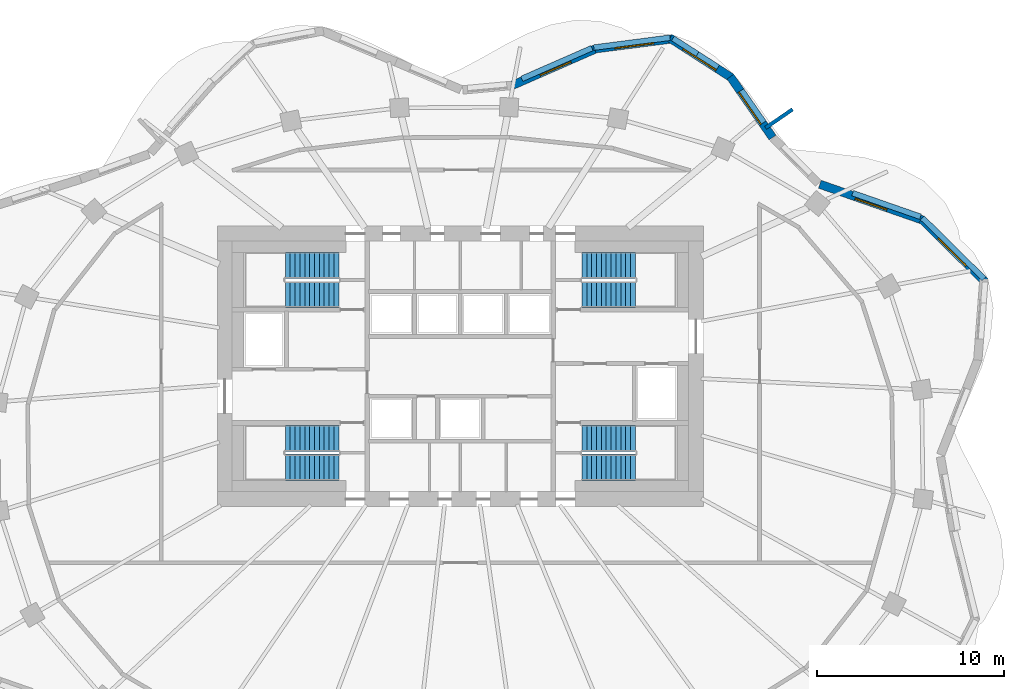
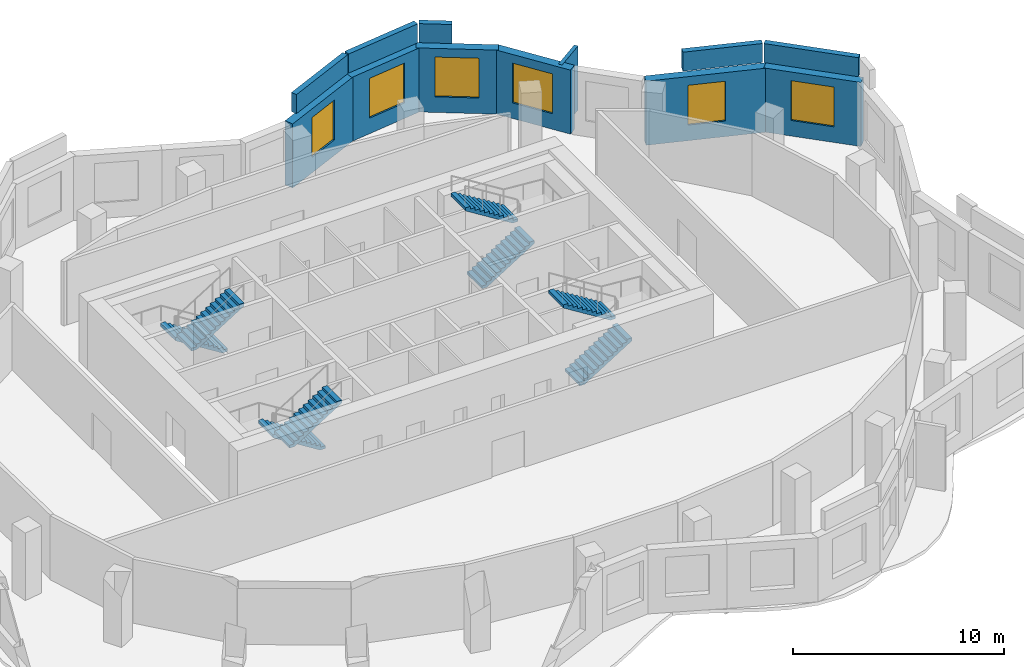
# One storey, part 7 of 8: 12 walls, 8 stair flights, 6 windows, 6 openings, 4 elements without a shape of their own.
"""IFC4 building model written with IfcOpenShell, lengths in metres."""

from ifc_helpers import new_model, si_unit, direction, frame, frame_2d, origin, place, context, subcontext, project, spatial, polyline, rectangle, outline, extrude, material, layer, layer_set, type_object, element, fill, aggregate, save


model = new_model("IFC4")

# Units and contexts
model_context = context("Model", 3, precision=1e-05, world=origin(), true_north=direction((0.0, 1.0)))
body_context = subcontext(model_context, "Body", "Model", "MODEL_VIEW")
ifc_project = project(units=[si_unit("LENGTHUNIT", "METRE"), si_unit("AREAUNIT", "SQUARE_METRE"), si_unit("VOLUMEUNIT", "CUBIC_METRE"), si_unit("PLANEANGLEUNIT", "RADIAN"), si_unit("MASSUNIT", "GRAM", prefix="KILO")], contexts=[model_context])

# Site, building, storey
site_placement = place(None, origin())
site = spatial("IfcSite", under=ifc_project, at=site_placement, CompositionType="ELEMENT")
building_placement = place(site_placement, origin())
building = spatial("IfcBuilding", under=site, at=building_placement, Name="Rubra Terraces Tower", CompositionType="ELEMENT")
storey_placement = place(building_placement, frame((0.0, 0.0, 240.89990234375)))
storey = spatial("IfcBuildingStorey", under=building, at=storey_placement, Name="L59", CompositionType="ELEMENT", Elevation=240.89990234375)

# Wall, opening, window
ifc_material_1 = material(Name="Brick masonry red-brown", Category="masonry")
ifc_layer_1 = layer(ifc_material_1, 0.449951171875)
ifc_layer_set_1 = layer_set([ifc_layer_1], Name="Brick masonry red-brown")
wall_type_1 = type_object("IfcWallType", Name="Brick facade wall 450", PredefinedType="SOLIDWALL", material=ifc_layer_set_1)
wall_1_placement = place(storey_placement, frame((28.06787109375, 9.010986328125, 0.0), z_axis=(0.0, 0.0, 1.0), x_axis=(-0.711293453435, 0.702895172199, 0.0)))
wall_1 = element("IfcWall", 1, at=wall_1_placement, inside=storey, type_object=wall_type_1, Name="Facade wall L59 bay 3", PredefinedType="SOLIDWALL", context=body_context, shape_type="SweptSolid", body=[
    extrude(rectangle(XDim=4.767578125, YDim=0.449951171875, at=frame_2d((2.3837890625, 0.0))), origin(), (0.0, 0.0, 1.0), 3.7001953125),
])
opening_1_placement = place(wall_1_placement, frame((1.333740234375, 0.0, 0.89990234375)))
opening_1 = element("IfcOpeningElement", 2, at=opening_1_placement, cuts=wall_1, Name="Opening W1B", PredefinedType="OPENING", context=body_context, shape_type="SweptSolid", body=[
    extrude(rectangle(XDim=2.10009765625, YDim=2.300048828125, at=frame_2d((1.050048828125, 1.14990234375))), frame((0.0, 0.23486328125, 0.0), z_axis=(0.0, -1.0, 0.0), x_axis=(1.0, 0.0, 0.0)), (0.0, 0.0, 1.0), 0.469970703125),
])
ifc_material_2 = material(Name="Clear glass in aluminium frame", Category="aluminium")
window_type_1 = type_object("IfcWindowType", Name="Fixed deep-set window tall storey 2100 x 2300", PartitioningType="SINGLE_PANEL", PredefinedType="WINDOW", material=ifc_material_2)
window_1_placement = place(opening_1_placement, origin())
window_1 = element("IfcWindow", 3, at=window_1_placement, inside=storey, type_object=window_type_1, Name="Window L59 bay 3", OverallHeight=2.300048828125, OverallWidth=2.10009765625, PartitioningType="SINGLE_PANEL", PredefinedType="WINDOW", context=body_context, shape_type="SweptSolid", body=[
    extrude(rectangle(XDim=2.10009765625, YDim=2.300048828125, at=frame_2d((1.050048828125, 1.14990234375))), frame((0.0, 0.135009765625, 0.0), z_axis=(0.0, -1.0, 0.0), x_axis=(1.0, 0.0, 0.0)), (0.0, 0.0, 1.0), 0.06005859375),
])
fill(opening_1, window_1)

wall_2_placement = place(storey_placement, frame((24.760986328125, 12.309814453125, 0.0), z_axis=(0.0, 0.0, 1.0), x_axis=(-0.944397305248, 0.328806523414, 0.0)))
wall_2 = element("IfcWall", 4, at=wall_2_placement, inside=storey, type_object=wall_type_1, Name="Facade wall L59 bay 4", PredefinedType="SOLIDWALL", context=body_context, shape_type="SweptSolid", body=[
    extrude(rectangle(XDim=5.862060546875, YDim=0.449951171875, at=frame_2d((2.93115234375, 0.0))), origin(), (0.0, 0.0, 1.0), 3.7001953125),
])
opening_2_placement = place(wall_2_placement, frame((2.031005859375, 0.0, 0.89990234375)))
opening_2 = element("IfcOpeningElement", 5, at=opening_2_placement, cuts=wall_2, Name="Opening W6B", PredefinedType="OPENING", context=body_context, shape_type="SweptSolid", body=[
    extrude(rectangle(XDim=1.800048828125, YDim=2.300048828125, at=frame_2d((0.89990234375, 1.14990234375))), frame((0.0, 0.23486328125, 0.0), z_axis=(0.0, -1.0, 0.0), x_axis=(1.0, 0.0, 0.0)), (0.0, 0.0, 1.0), 0.469970703125),
])
window_type_2 = type_object("IfcWindowType", Name="Fixed deep-set window at wind fin tall storey 1800 x 2300", PartitioningType="SINGLE_PANEL", PredefinedType="WINDOW", material=ifc_material_2)
window_2_placement = place(opening_2_placement, origin())
window_2 = element("IfcWindow", 6, at=window_2_placement, inside=storey, type_object=window_type_2, Name="Window L59 bay 4", OverallHeight=2.300048828125, OverallWidth=1.800048828125, PartitioningType="SINGLE_PANEL", PredefinedType="WINDOW", context=body_context, shape_type="SweptSolid", body=[
    extrude(rectangle(XDim=1.800048828125, YDim=2.300048828125, at=frame_2d((0.89990234375, 1.14990234375))), frame((0.0, 0.135009765625, 0.0), z_axis=(0.0, -1.0, 0.0), x_axis=(1.0, 0.0, 0.0)), (0.0, 0.0, 1.0), 0.06005859375),
])
fill(opening_2, window_2)

wall_3_placement = place(storey_placement, frame((16.695068359375, 16.73681640625, 0.0), z_axis=(0.0, 0.0, 1.0), x_axis=(-0.569652445465, 0.821885692402, 0.0)))
wall_3 = element("IfcWall", 7, at=wall_3_placement, inside=storey, type_object=wall_type_1, Name="Facade wall L59 bay 6", PredefinedType="SOLIDWALL", context=body_context, shape_type="SweptSolid", body=[
    extrude(rectangle(XDim=3.958740234375, YDim=0.449951171875, at=frame_2d((1.9794921875, 0.0))), origin(), (0.0, 0.0, 1.0), 3.7001953125),
])
opening_3_placement = place(wall_3_placement, frame((0.929443359375, 0.0, 0.89990234375)))
opening_3 = element("IfcOpeningElement", 8, at=opening_3_placement, cuts=wall_3, Name="Opening W1B", PredefinedType="OPENING", context=body_context, shape_type="SweptSolid", body=[
    extrude(rectangle(XDim=2.10009765625, YDim=2.300048828125, at=frame_2d((1.050048828125, 1.14990234375))), frame((0.0, 0.23486328125, 0.0), z_axis=(0.0, -1.0, 0.0), x_axis=(1.0, 0.0, 0.0)), (0.0, 0.0, 1.0), 0.469970703125),
])
window_3_placement = place(opening_3_placement, origin())
window_3 = element("IfcWindow", 9, at=window_3_placement, inside=storey, type_object=window_type_1, Name="Window L59 bay 6", OverallHeight=2.300048828125, OverallWidth=2.10009765625, PartitioningType="SINGLE_PANEL", PredefinedType="WINDOW", context=body_context, shape_type="SweptSolid", body=[
    extrude(rectangle(XDim=2.10009765625, YDim=2.300048828125, at=frame_2d((1.050048828125, 1.14990234375))), frame((0.0, 0.135009765625, 0.0), z_axis=(0.0, -1.0, 0.0), x_axis=(1.0, 0.0, 0.0)), (0.0, 0.0, 1.0), 0.06005859375),
])
fill(opening_3, window_3)

wall_4_placement = place(storey_placement, frame((14.499267578125, 19.934814453125, 0.0), z_axis=(0.0, 0.0, 1.0), x_axis=(-0.84080910763, 0.541331732422, 0.0)))
wall_4 = element("IfcWall", 10, at=wall_4_placement, inside=storey, type_object=wall_type_1, Name="Facade wall L59 bay 7", PredefinedType="SOLIDWALL", context=body_context, shape_type="SweptSolid", body=[
    extrude(rectangle(XDim=3.91064453125, YDim=0.449951171875, at=frame_2d((1.955322265625, 0.0))), origin(), (0.0, 0.0, 1.0), 3.7001953125),
])
opening_4_placement = place(wall_4_placement, frame((0.9052734375, 0.0, 0.89990234375)))
opening_4 = element("IfcOpeningElement", 11, at=opening_4_placement, cuts=wall_4, Name="Opening W1B", PredefinedType="OPENING", context=body_context, shape_type="SweptSolid", body=[
    extrude(rectangle(XDim=2.10009765625, YDim=2.300048828125, at=frame_2d((1.050048828125, 1.14990234375))), frame((0.0, 0.23486328125, 0.0), z_axis=(0.0, -1.0, 0.0), x_axis=(1.0, 0.0, 0.0)), (0.0, 0.0, 1.0), 0.469970703125),
])
window_4_placement = place(opening_4_placement, origin())
window_4 = element("IfcWindow", 12, at=window_4_placement, inside=storey, type_object=window_type_1, Name="Window L59 bay 7", OverallHeight=2.300048828125, OverallWidth=2.10009765625, PartitioningType="SINGLE_PANEL", PredefinedType="WINDOW", context=body_context, shape_type="SweptSolid", body=[
    extrude(rectangle(XDim=2.10009765625, YDim=2.300048828125, at=frame_2d((1.050048828125, 1.14990234375))), frame((0.0, 0.135009765625, 0.0), z_axis=(0.0, -1.0, 0.0), x_axis=(1.0, 0.0, 0.0)), (0.0, 0.0, 1.0), 0.06005859375),
])
fill(opening_4, window_4)

wall_5_placement = place(storey_placement, frame((11.36181640625, 22.017822265625, 0.0), z_axis=(0.0, 0.0, 1.0), x_axis=(-0.991724958022, -0.128380713645, 0.0)))
wall_5 = element("IfcWall", 13, at=wall_5_placement, inside=storey, type_object=wall_type_1, Name="Facade wall L59 bay 8", PredefinedType="SOLIDWALL", context=body_context, shape_type="SweptSolid", body=[
    extrude(rectangle(XDim=4.181884765625, YDim=0.449951171875, at=frame_2d((2.0908203125, 0.0))), origin(), (0.0, 0.0, 1.0), 3.7001953125),
])
opening_5_placement = place(wall_5_placement, frame((1.041015625, 0.0, 0.89990234375)))
opening_5 = element("IfcOpeningElement", 14, at=opening_5_placement, cuts=wall_5, Name="Opening W1B", PredefinedType="OPENING", context=body_context, shape_type="SweptSolid", body=[
    extrude(rectangle(XDim=2.10009765625, YDim=2.300048828125, at=frame_2d((1.050048828125, 1.14990234375))), frame((0.0, 0.23486328125, 0.0), z_axis=(0.0, -1.0, 0.0), x_axis=(1.0, 0.0, 0.0)), (0.0, 0.0, 1.0), 0.469970703125),
])
window_5_placement = place(opening_5_placement, origin())
window_5 = element("IfcWindow", 15, at=window_5_placement, inside=storey, type_object=window_type_1, Name="Window L59 bay 8", OverallHeight=2.300048828125, OverallWidth=2.10009765625, PartitioningType="SINGLE_PANEL", PredefinedType="WINDOW", context=body_context, shape_type="SweptSolid", body=[
    extrude(rectangle(XDim=2.10009765625, YDim=2.300048828125, at=frame_2d((1.050048828125, 1.14990234375))), frame((0.0, 0.135009765625, 0.0), z_axis=(0.0, -1.0, 0.0), x_axis=(1.0, 0.0, 0.0)), (0.0, 0.0, 1.0), 0.06005859375),
])
fill(opening_5, window_5)

wall_6_placement = place(storey_placement, frame((7.27587890625, 21.498046875, 0.0), z_axis=(0.0, 0.0, 1.0), x_axis=(-0.915872941312, -0.401468249519, 0.0)))
wall_6 = element("IfcWall", 16, at=wall_6_placement, inside=storey, type_object=wall_type_1, Name="Facade wall L59 bay 9", PredefinedType="SOLIDWALL", context=body_context, shape_type="SweptSolid", body=[
    extrude(rectangle(XDim=4.870361328125, YDim=0.449951171875, at=frame_2d((2.43505859375, 0.0))), origin(), (0.0, 0.0, 1.0), 3.7001953125),
])
opening_6_placement = place(wall_6_placement, frame((1.535400390625, 0.0, 0.89990234375)))
opening_6 = element("IfcOpeningElement", 17, at=opening_6_placement, cuts=wall_6, Name="Opening W6B", PredefinedType="OPENING", context=body_context, shape_type="SweptSolid", body=[
    extrude(rectangle(XDim=1.800048828125, YDim=2.300048828125, at=frame_2d((0.89990234375, 1.14990234375))), frame((0.0, 0.23486328125, 0.0), z_axis=(0.0, -1.0, 0.0), x_axis=(1.0, 0.0, 0.0)), (0.0, 0.0, 1.0), 0.469970703125),
])
window_6_placement = place(opening_6_placement, origin())
window_6 = element("IfcWindow", 18, at=window_6_placement, inside=storey, type_object=window_type_2, Name="Window L59 bay 9", OverallHeight=2.300048828125, OverallWidth=1.800048828125, PartitioningType="SINGLE_PANEL", PredefinedType="WINDOW", context=body_context, shape_type="SweptSolid", body=[
    extrude(rectangle(XDim=1.800048828125, YDim=2.300048828125, at=frame_2d((0.89990234375, 1.14990234375))), frame((0.0, 0.135009765625, 0.0), z_axis=(0.0, -1.0, 0.0), x_axis=(1.0, 0.0, 0.0)), (0.0, 0.0, 1.0), 0.06005859375),
])
fill(opening_6, window_6)

# Walls
ifc_layer_2 = layer(ifc_material_1, 0.300048828125)
ifc_layer_set_2 = layer_set([ifc_layer_2], Name="Brick masonry red-brown")
wall_type_2 = type_object("IfcWallType", Name="Brick parapet 300", PredefinedType="PARAPET", material=ifc_layer_set_2)
wall_7_placement = place(storey_placement, frame((28.00048828125, 9.18310546875, 3.900146484375), z_axis=(0.0, 0.0, 1.0), x_axis=(-0.711291435321, 0.702897214419, 0.0)))
element("IfcWall", 19, at=wall_7_placement, inside=storey, type_object=wall_type_2, Name="Parapet L59 bay 3", PredefinedType="PARAPET", context=body_context, shape_type="SweptSolid", body=[
    extrude(rectangle(XDim=4.62451171875, YDim=0.300048828125, at=frame_2d((2.312255859375, 0.0))), origin(), (0.0, 0.0, 1.0), 1.099853515625),
])
wall_8_placement = place(storey_placement, frame((24.605224609375, 12.49951171875, 3.900146484375), z_axis=(0.0, 0.0, 1.0), x_axis=(-0.944373295981, 0.328875474668, 0.0)))
element("IfcWall", 20, at=wall_8_placement, inside=storey, type_object=wall_type_2, Name="Parapet L59 bay 4", PredefinedType="PARAPET", context=body_context, shape_type="SweptSolid", body=[
    extrude(rectangle(XDim=3.84228515625, YDim=0.300048828125, at=frame_2d((1.921142578125, 0.0))), origin(), (0.0, 0.0, 1.0), 1.099853515625),
])
wall_9_placement = place(storey_placement, frame((12.680419921875, 21.195068359375, 3.900146484375), z_axis=(0.0, 0.0, 1.0), x_axis=(-0.840806975541, 0.541335044018, 0.0)))
element("IfcWall", 21, at=wall_9_placement, inside=storey, type_object=wall_type_2, Name="Parapet L59 bay 7", PredefinedType="PARAPET", context=body_context, shape_type="SweptSolid", body=[
    extrude(rectangle(XDim=1.5595703125, YDim=0.300048828125, at=frame_2d((0.77978515625, 0.0))), origin(), (0.0, 0.0, 1.0), 1.099853515625),
])
wall_10_placement = place(storey_placement, frame((11.2138671875, 22.07421875, 3.900146484375), z_axis=(0.0, 0.0, 1.0), x_axis=(-0.991727449614, -0.128361464939, 0.0)))
element("IfcWall", 22, at=wall_10_placement, inside=storey, type_object=wall_type_2, Name="Parapet L59 bay 8", PredefinedType="PARAPET", context=body_context, shape_type="SweptSolid", body=[
    extrude(rectangle(XDim=4.110107421875, YDim=0.300048828125, at=frame_2d((2.05517578125, 0.0))), origin(), (0.0, 0.0, 1.0), 1.099853515625),
])
wall_11_placement = place(storey_placement, frame((7.039306640625, 21.519287109375, 3.900146484375), z_axis=(0.0, 0.0, 1.0), x_axis=(-0.915890739732, -0.401427643384, 0.0)))
element("IfcWall", 23, at=wall_11_placement, inside=storey, type_object=wall_type_2, Name="Parapet L59 bay 9", PredefinedType="PARAPET", context=body_context, shape_type="SweptSolid", body=[
    extrude(rectangle(XDim=4.1015625, YDim=0.300048828125, at=frame_2d((2.05078125, 0.0))), origin(), (0.0, 0.0, 1.0), 1.099853515625),
])
ifc_layer_3 = layer(ifc_material_1, 0.199951171875)
ifc_layer_set_3 = layer_set([ifc_layer_3], Name="Brick masonry red-brown")
wall_type_3 = type_object("IfcWallType", Name="Brick wind fin 200", PredefinedType="SOLIDWALL", material=ifc_layer_set_3)
wall_12_placement = place(storey_placement, frame((16.322021484375, 17.2529296875, 0.0), z_axis=(0.0, 0.0, 1.0), x_axis=(0.824440606412, 0.565948483962, 0.0)))
element("IfcWall", 24, at=wall_12_placement, inside=storey, type_object=wall_type_3, Name="Wind fin L59 4", PredefinedType="SOLIDWALL", context=body_context, shape_type="SweptSolid", body=[
    extrude(rectangle(XDim=1.75, YDim=0.199951171875, at=frame_2d((0.875, 0.0))), origin(), (0.0, 0.0, 1.0), 3.7001953125),
])

# Stair, stair flights
ifc_material_3 = material(Name="Concrete C40", Category="concrete")
stair_type = type_object("IfcStairType", Name="Core stair 1400", PredefinedType="HALF_TURN_STAIR", material=ifc_material_3)
stair_1_placement = place(storey_placement, origin())
stair_1 = element("IfcStair", 25, at=stair_1_placement, inside=storey, type_object=stair_type, Name="L59 Exit stair S1", PredefinedType="HALF_TURN_STAIR")
stair_flight_type = type_object("IfcStairFlightType", Name="Core stair flight 1400", PredefinedType="STRAIGHT", material=ifc_material_3)
stair_flight_1_placement = place(storey_placement, frame((-6.5, 0.64990234375, 0.0), z_axis=(0.0, 0.0, 1.0), x_axis=(-1.0, 0.0, 0.0)))
stair_flight_1 = element("IfcStairFlight", 26, at=stair_flight_1_placement, type_object=stair_flight_type, Name="S1 flight 1", NumberOfRisers=12, NumberOfTreads=11, PredefinedType="STRAIGHT", RiserHeight=0.1625, TreadLength=0.26, context=body_context, shape_type="SweptSolid", body=[
    extrude(outline(polyline([(0.0, 0.0), (0.0, 0.16259765625), (0.260009765625, 0.16259765625), (0.260009765625, 0.324951171875), (0.52001953125, 0.324951171875), (0.52001953125, 0.487548828125), (0.780029296875, 0.487548828125), (0.780029296875, 0.64990234375), (1.0400390625, 0.64990234375), (1.0400390625, 0.8125), (1.300048828125, 0.8125), (1.300048828125, 0.97509765625), (1.56005859375, 0.97509765625), (1.56005859375, 1.137451171875), (1.820068359375, 1.137451171875), (1.820068359375, 1.300048828125), (2.080078125, 1.300048828125), (2.080078125, 1.46240234375), (2.340087890625, 1.46240234375), (2.340087890625, 1.625), (2.60009765625, 1.625), (2.60009765625, 1.78759765625), (2.860107421875, 1.78759765625), (2.860107421875, 1.949951171875), (2.860107421875, 1.61083984375), (0.28271484375, 0.0), (0.0, 0.0)])), frame((0.0, 0.699951171875, 0.0), z_axis=(0.0, -1.0, 0.0), x_axis=(1.0, 0.0, 0.0)), (0.0, 0.0, 1.0), 1.39990234375),
])
stair_flight_2_placement = place(storey_placement, frame((-9.360107421875, -0.89990234375, 1.9501953125), z_axis=(0.0, 0.0, 1.0), x_axis=(1.0, 0.0, 0.0)))
stair_flight_2 = element("IfcStairFlight", 27, at=stair_flight_2_placement, type_object=stair_flight_type, Name="S1 flight 2", NumberOfRisers=12, NumberOfTreads=11, PredefinedType="STRAIGHT", RiserHeight=0.1625, TreadLength=0.26, context=body_context, shape_type="SweptSolid", body=[
    extrude(outline(polyline([(0.0, 0.0), (0.0, 0.16259765625), (0.260009765625, 0.16259765625), (0.260009765625, 0.324951171875), (0.52001953125, 0.324951171875), (0.52001953125, 0.487548828125), (0.780029296875, 0.487548828125), (0.780029296875, 0.64990234375), (1.0400390625, 0.64990234375), (1.0400390625, 0.8125), (1.300048828125, 0.8125), (1.300048828125, 0.97509765625), (1.56005859375, 0.97509765625), (1.56005859375, 1.137451171875), (1.820068359375, 1.137451171875), (1.820068359375, 1.300048828125), (2.080078125, 1.300048828125), (2.080078125, 1.46240234375), (2.340087890625, 1.46240234375), (2.340087890625, 1.625), (2.60009765625, 1.625), (2.60009765625, 1.78759765625), (2.860107421875, 1.78759765625), (2.860107421875, 1.949951171875), (2.860107421875, 1.61083984375), (0.28271484375, 0.0), (0.0, 0.0)])), frame((0.0, 0.699951171875, 0.0), z_axis=(0.0, -1.0, 0.0), x_axis=(1.0, 0.0, 0.0)), (0.0, 0.0, 1.0), 1.39990234375),
])
aggregate(stair_1, [stair_flight_1, stair_flight_2])

stair_2_placement = place(storey_placement, origin())
stair_2 = element("IfcStair", 28, at=stair_2_placement, inside=storey, type_object=stair_type, Name="L59 Exit stair S2", PredefinedType="HALF_TURN_STAIR")
stair_flight_3_placement = place(storey_placement, frame((-6.5, 9.89990234375, 0.0), z_axis=(0.0, 0.0, 1.0), x_axis=(-1.0, 0.0, 0.0)))
stair_flight_3 = element("IfcStairFlight", 29, at=stair_flight_3_placement, type_object=stair_flight_type, Name="S2 flight 1", NumberOfRisers=12, NumberOfTreads=11, PredefinedType="STRAIGHT", RiserHeight=0.1625, TreadLength=0.26, context=body_context, shape_type="SweptSolid", body=[
    extrude(outline(polyline([(0.0, 0.0), (0.0, 0.16259765625), (0.260009765625, 0.16259765625), (0.260009765625, 0.324951171875), (0.52001953125, 0.324951171875), (0.52001953125, 0.487548828125), (0.780029296875, 0.487548828125), (0.780029296875, 0.64990234375), (1.0400390625, 0.64990234375), (1.0400390625, 0.8125), (1.300048828125, 0.8125), (1.300048828125, 0.97509765625), (1.56005859375, 0.97509765625), (1.56005859375, 1.137451171875), (1.820068359375, 1.137451171875), (1.820068359375, 1.300048828125), (2.080078125, 1.300048828125), (2.080078125, 1.46240234375), (2.340087890625, 1.46240234375), (2.340087890625, 1.625), (2.60009765625, 1.625), (2.60009765625, 1.78759765625), (2.860107421875, 1.78759765625), (2.860107421875, 1.949951171875), (2.860107421875, 1.61083984375), (0.28271484375, 0.0), (0.0, 0.0)])), frame((0.0, 0.699951171875, 0.0), z_axis=(0.0, -1.0, 0.0), x_axis=(1.0, 0.0, 0.0)), (0.0, 0.0, 1.0), 1.39990234375),
])
stair_flight_4_placement = place(storey_placement, frame((-9.360107421875, 8.35009765625, 1.9501953125), z_axis=(0.0, 0.0, 1.0), x_axis=(1.0, 0.0, 0.0)))
stair_flight_4 = element("IfcStairFlight", 30, at=stair_flight_4_placement, type_object=stair_flight_type, Name="S2 flight 2", NumberOfRisers=12, NumberOfTreads=11, PredefinedType="STRAIGHT", RiserHeight=0.1625, TreadLength=0.26, context=body_context, shape_type="SweptSolid", body=[
    extrude(outline(polyline([(0.0, 0.0), (0.0, 0.16259765625), (0.260009765625, 0.16259765625), (0.260009765625, 0.324951171875), (0.52001953125, 0.324951171875), (0.52001953125, 0.487548828125), (0.780029296875, 0.487548828125), (0.780029296875, 0.64990234375), (1.0400390625, 0.64990234375), (1.0400390625, 0.8125), (1.300048828125, 0.8125), (1.300048828125, 0.97509765625), (1.56005859375, 0.97509765625), (1.56005859375, 1.137451171875), (1.820068359375, 1.137451171875), (1.820068359375, 1.300048828125), (2.080078125, 1.300048828125), (2.080078125, 1.46240234375), (2.340087890625, 1.46240234375), (2.340087890625, 1.625), (2.60009765625, 1.625), (2.60009765625, 1.78759765625), (2.860107421875, 1.78759765625), (2.860107421875, 1.949951171875), (2.860107421875, 1.61083984375), (0.28271484375, 0.0), (0.0, 0.0)])), frame((0.0, 0.699951171875, 0.0), z_axis=(0.0, -1.0, 0.0), x_axis=(1.0, 0.0, 0.0)), (0.0, 0.0, 1.0), 1.39990234375),
])
aggregate(stair_2, [stair_flight_3, stair_flight_4])

stair_3_placement = place(storey_placement, origin())
stair_3 = element("IfcStair", 31, at=stair_3_placement, inside=storey, type_object=stair_type, Name="L59 Exit stair S3", PredefinedType="HALF_TURN_STAIR")
stair_flight_5_placement = place(storey_placement, frame((6.5, 8.35009765625, 0.0), z_axis=(0.0, 0.0, 1.0), x_axis=(1.0, 0.0, 0.0)))
stair_flight_5 = element("IfcStairFlight", 32, at=stair_flight_5_placement, type_object=stair_flight_type, Name="S3 flight 1", NumberOfRisers=12, NumberOfTreads=11, PredefinedType="STRAIGHT", RiserHeight=0.1625, TreadLength=0.26, context=body_context, shape_type="SweptSolid", body=[
    extrude(outline(polyline([(0.0, 0.0), (0.0, 0.16259765625), (0.260009765625, 0.16259765625), (0.260009765625, 0.324951171875), (0.52001953125, 0.324951171875), (0.52001953125, 0.487548828125), (0.780029296875, 0.487548828125), (0.780029296875, 0.64990234375), (1.0400390625, 0.64990234375), (1.0400390625, 0.8125), (1.300048828125, 0.8125), (1.300048828125, 0.97509765625), (1.56005859375, 0.97509765625), (1.56005859375, 1.137451171875), (1.820068359375, 1.137451171875), (1.820068359375, 1.300048828125), (2.080078125, 1.300048828125), (2.080078125, 1.46240234375), (2.340087890625, 1.46240234375), (2.340087890625, 1.625), (2.60009765625, 1.625), (2.60009765625, 1.78759765625), (2.860107421875, 1.78759765625), (2.860107421875, 1.949951171875), (2.860107421875, 1.61083984375), (0.28271484375, 0.0), (0.0, 0.0)])), frame((0.0, 0.699951171875, 0.0), z_axis=(0.0, -1.0, 0.0), x_axis=(1.0, 0.0, 0.0)), (0.0, 0.0, 1.0), 1.39990234375),
])
stair_flight_6_placement = place(storey_placement, frame((9.360107421875, 9.89990234375, 1.9501953125), z_axis=(0.0, 0.0, 1.0), x_axis=(-1.0, 0.0, 0.0)))
stair_flight_6 = element("IfcStairFlight", 33, at=stair_flight_6_placement, type_object=stair_flight_type, Name="S3 flight 2", NumberOfRisers=12, NumberOfTreads=11, PredefinedType="STRAIGHT", RiserHeight=0.1625, TreadLength=0.26, context=body_context, shape_type="SweptSolid", body=[
    extrude(outline(polyline([(0.0, 0.0), (0.0, 0.16259765625), (0.260009765625, 0.16259765625), (0.260009765625, 0.324951171875), (0.52001953125, 0.324951171875), (0.52001953125, 0.487548828125), (0.780029296875, 0.487548828125), (0.780029296875, 0.64990234375), (1.0400390625, 0.64990234375), (1.0400390625, 0.8125), (1.300048828125, 0.8125), (1.300048828125, 0.97509765625), (1.56005859375, 0.97509765625), (1.56005859375, 1.137451171875), (1.820068359375, 1.137451171875), (1.820068359375, 1.300048828125), (2.080078125, 1.300048828125), (2.080078125, 1.46240234375), (2.340087890625, 1.46240234375), (2.340087890625, 1.625), (2.60009765625, 1.625), (2.60009765625, 1.78759765625), (2.860107421875, 1.78759765625), (2.860107421875, 1.949951171875), (2.860107421875, 1.61083984375), (0.28271484375, 0.0), (0.0, 0.0)])), frame((0.0, 0.699951171875, 0.0), z_axis=(0.0, -1.0, 0.0), x_axis=(1.0, 0.0, 0.0)), (0.0, 0.0, 1.0), 1.39990234375),
])
aggregate(stair_3, [stair_flight_5, stair_flight_6])

stair_4_placement = place(storey_placement, origin())
stair_4 = element("IfcStair", 34, at=stair_4_placement, inside=storey, type_object=stair_type, Name="L59 Exit stair S4", PredefinedType="HALF_TURN_STAIR")
stair_flight_7_placement = place(storey_placement, frame((6.5, -0.89990234375, 0.0), z_axis=(0.0, 0.0, 1.0), x_axis=(1.0, 0.0, 0.0)))
stair_flight_7 = element("IfcStairFlight", 35, at=stair_flight_7_placement, type_object=stair_flight_type, Name="S4 flight 1", NumberOfRisers=12, NumberOfTreads=11, PredefinedType="STRAIGHT", RiserHeight=0.1625, TreadLength=0.26, context=body_context, shape_type="SweptSolid", body=[
    extrude(outline(polyline([(0.0, 0.0), (0.0, 0.16259765625), (0.260009765625, 0.16259765625), (0.260009765625, 0.324951171875), (0.52001953125, 0.324951171875), (0.52001953125, 0.487548828125), (0.780029296875, 0.487548828125), (0.780029296875, 0.64990234375), (1.0400390625, 0.64990234375), (1.0400390625, 0.8125), (1.300048828125, 0.8125), (1.300048828125, 0.97509765625), (1.56005859375, 0.97509765625), (1.56005859375, 1.137451171875), (1.820068359375, 1.137451171875), (1.820068359375, 1.300048828125), (2.080078125, 1.300048828125), (2.080078125, 1.46240234375), (2.340087890625, 1.46240234375), (2.340087890625, 1.625), (2.60009765625, 1.625), (2.60009765625, 1.78759765625), (2.860107421875, 1.78759765625), (2.860107421875, 1.949951171875), (2.860107421875, 1.61083984375), (0.28271484375, 0.0), (0.0, 0.0)])), frame((0.0, 0.699951171875, 0.0), z_axis=(0.0, -1.0, 0.0), x_axis=(1.0, 0.0, 0.0)), (0.0, 0.0, 1.0), 1.39990234375),
])
stair_flight_8_placement = place(storey_placement, frame((9.360107421875, 0.64990234375, 1.9501953125), z_axis=(0.0, 0.0, 1.0), x_axis=(-1.0, 0.0, 0.0)))
stair_flight_8 = element("IfcStairFlight", 36, at=stair_flight_8_placement, type_object=stair_flight_type, Name="S4 flight 2", NumberOfRisers=12, NumberOfTreads=11, PredefinedType="STRAIGHT", RiserHeight=0.1625, TreadLength=0.26, context=body_context, shape_type="SweptSolid", body=[
    extrude(outline(polyline([(0.0, 0.0), (0.0, 0.16259765625), (0.260009765625, 0.16259765625), (0.260009765625, 0.324951171875), (0.52001953125, 0.324951171875), (0.52001953125, 0.487548828125), (0.780029296875, 0.487548828125), (0.780029296875, 0.64990234375), (1.0400390625, 0.64990234375), (1.0400390625, 0.8125), (1.300048828125, 0.8125), (1.300048828125, 0.97509765625), (1.56005859375, 0.97509765625), (1.56005859375, 1.137451171875), (1.820068359375, 1.137451171875), (1.820068359375, 1.300048828125), (2.080078125, 1.300048828125), (2.080078125, 1.46240234375), (2.340087890625, 1.46240234375), (2.340087890625, 1.625), (2.60009765625, 1.625), (2.60009765625, 1.78759765625), (2.860107421875, 1.78759765625), (2.860107421875, 1.949951171875), (2.860107421875, 1.61083984375), (0.28271484375, 0.0), (0.0, 0.0)])), frame((0.0, 0.699951171875, 0.0), z_axis=(0.0, -1.0, 0.0), x_axis=(1.0, 0.0, 0.0)), (0.0, 0.0, 1.0), 1.39990234375),
])
aggregate(stair_4, [stair_flight_7, stair_flight_8])

save(model, "model.ifc")
